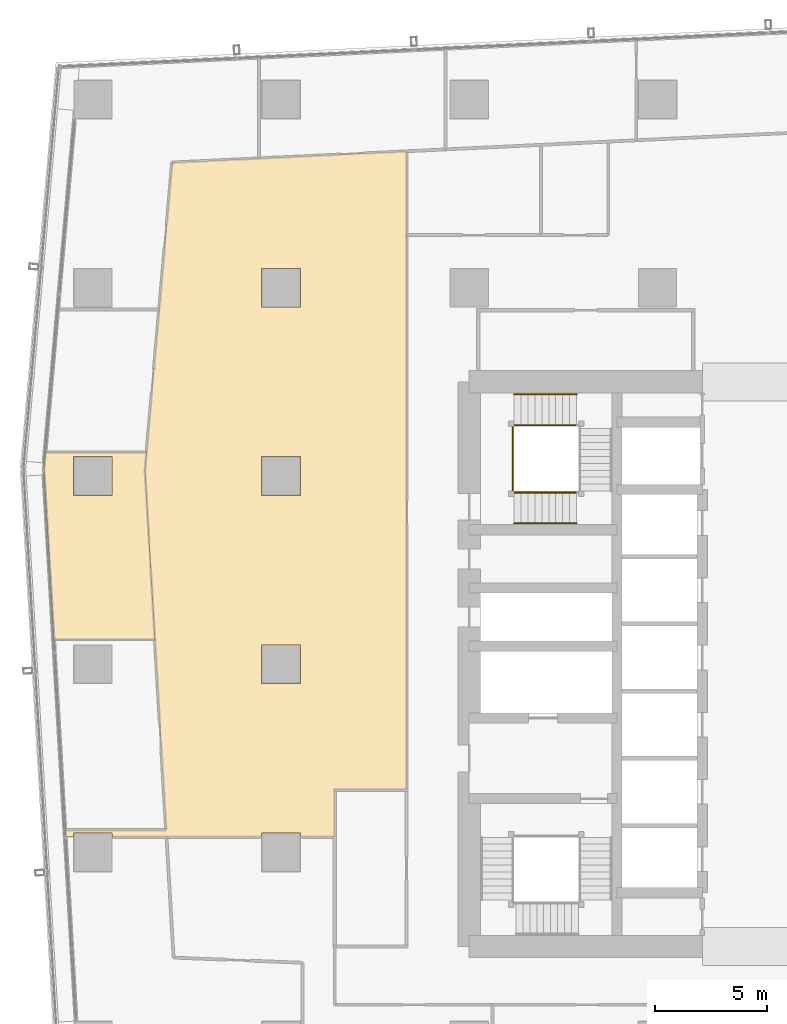
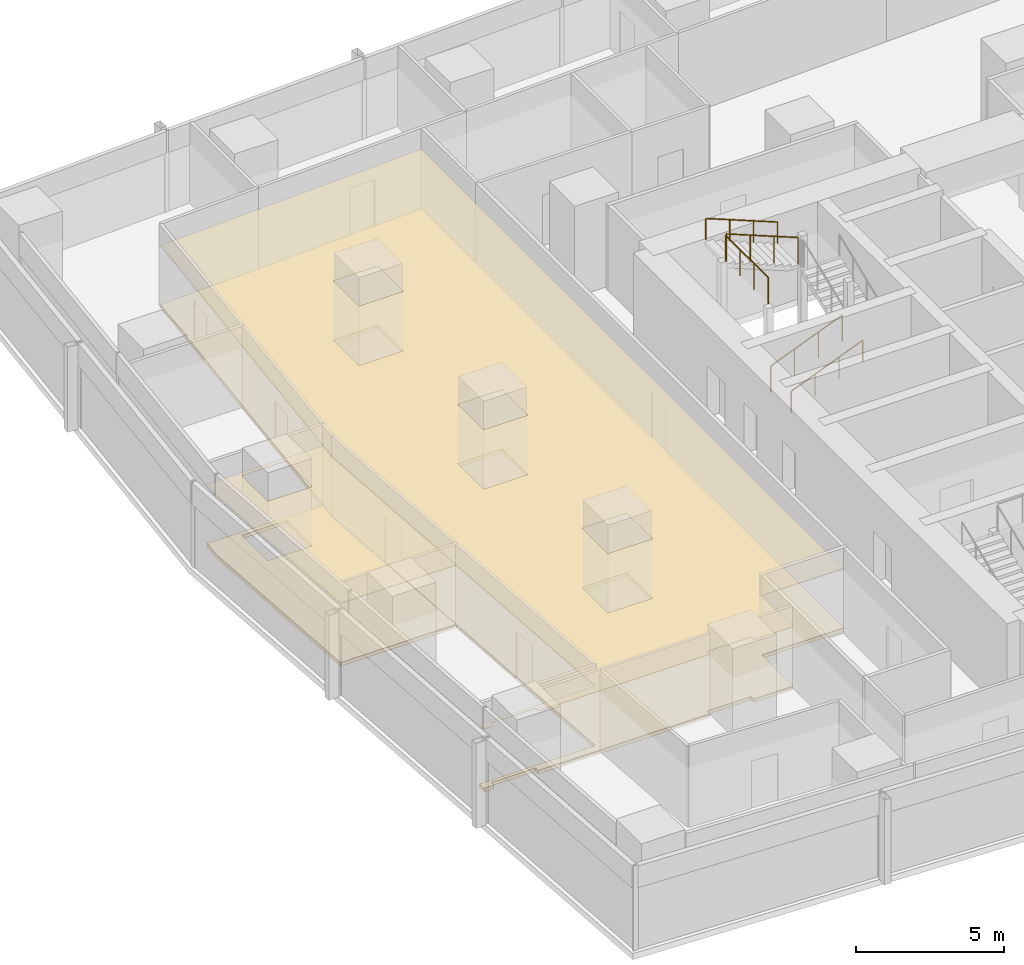
# One storey, part 34 of 39: 5 railings, 4 coverings.
"""IFC4 building model written with IfcOpenShell, lengths in metres."""

from ifc_helpers import new_model, si_unit, direction, frame, origin, origin_2d, place, context, subcontext, project, spatial, polyline, circle, outline, extrude, material, layer, layer_set, type_object, element, save


model = new_model("IFC4")

# Units and contexts
model_context = context("Model", 3, precision=1e-05, world=origin(), true_north=direction((0.0, 1.0)))
body_context = subcontext(model_context, "Body", "Model", "MODEL_VIEW")
ifc_project = project(units=[si_unit("LENGTHUNIT", "METRE"), si_unit("AREAUNIT", "SQUARE_METRE"), si_unit("VOLUMEUNIT", "CUBIC_METRE"), si_unit("PLANEANGLEUNIT", "RADIAN"), si_unit("MASSUNIT", "GRAM", prefix="KILO")], contexts=[model_context])

# Site, building, storey
site_placement = place(None, origin())
site = spatial("IfcSite", under=ifc_project, at=site_placement, CompositionType="ELEMENT")
building_placement = place(site_placement, origin())
building = spatial("IfcBuilding", under=site, at=building_placement, Name="Rekha Terrace Tower", CompositionType="ELEMENT")
storey_placement = place(building_placement, frame((0.0, 0.0, 183.949951171875)))
storey = spatial("IfcBuildingStorey", under=building, at=storey_placement, Name="L46", CompositionType="ELEMENT", Elevation=183.949951171875)

# Coverings
ifc_material_1 = material(Name="Mineral fibre tile in exposed grid", Category="finish")
ifc_layer_1 = layer(ifc_material_1, 0.02001953125)
ifc_layer_set_1 = layer_set([ifc_layer_1], Name="Mineral fibre tile in exposed grid")
covering_type_1 = type_object("IfcCoveringType", Name="CL1 600x1200 office grid ceiling", PredefinedType="CEILING", material=ifc_layer_set_1)
covering_1_placement = place(storey_placement, frame((0.0, 0.0, 2.580078125)))
element("IfcCovering", 1, at=covering_1_placement, inside=storey, type_object=covering_type_1, Name="Ceiling L46-20", PredefinedType="CEILING", context=body_context, shape_type="SweptSolid", body=[
    extrude(outline(polyline([(6.212890625, 42.31494140625), (6.660888671875, 34.7109375), (11.16796875, 34.7109375), (10.72509765625, 42.2490234375), (10.794921875, 43.0439453125), (6.277099609375, 43.0439453125), (6.212890625, 42.31494140625)]), holes=[polyline([(9.264892578125, 41.135009765625), (7.534912109375, 41.135009765625), (7.534912109375, 42.864990234375), (9.264892578125, 42.864990234375), (9.264892578125, 41.135009765625)])]), origin(), (0.0, 0.0, 1.0), 0.02001953125),
])
covering_2_placement = place(storey_placement, frame((0.0, 0.0, 2.580078125)))
element("IfcCovering", 2, at=covering_2_placement, inside=storey, type_object=covering_type_1, Name="Ceiling L46-O2", PredefinedType="CEILING", context=body_context, shape_type="SweptSolid", body=[
    extrude(outline(polyline([(11.35791015625, 49.427978515625), (10.794921875, 43.0439453125), (10.72509765625, 42.2490234375), (11.1689453125, 34.695068359375), (11.669921875, 26.198974609375), (7.162109375, 26.198974609375), (7.179931640625, 25.888916015625), (7.534912109375, 25.888916015625), (7.534912109375, 26.06494140625), (9.264892578125, 26.06494140625), (9.264892578125, 25.888916015625), (15.93505859375, 25.888916015625), (15.93505859375, 26.06494140625), (17.6650390625, 26.06494140625), (17.6650390625, 25.888916015625), (19.199951171875, 25.888916015625), (19.199951171875, 28.0), (22.39990234375, 28.0), (22.39990234375, 56.492919921875), (15.800048828125, 56.177001953125), (11.93798828125, 55.992919921875), (11.35888671875, 49.427978515625), (11.35791015625, 49.427978515625)]), holes=[polyline([(17.6650390625, 32.735107421875), (15.93505859375, 32.735107421875), (15.93505859375, 34.465087890625), (17.6650390625, 34.465087890625), (17.6650390625, 32.735107421875)]), polyline([(17.6650390625, 42.864990234375), (17.6650390625, 41.135009765625), (15.93505859375, 41.135009765625), (15.93505859375, 42.864990234375), (17.6650390625, 42.864990234375)]), polyline([(17.6650390625, 51.264892578125), (17.6650390625, 49.534912109375), (15.93505859375, 49.534912109375), (15.93505859375, 51.264892578125), (17.6650390625, 51.264892578125)])]), origin(), (0.0, 0.0, 1.0), 0.02001953125),
])

# Railings
ifc_material_2 = material(Name="Stainless steel balustrade", Category="steel")
railing_type_1 = type_object("IfcRailingType", Name="GR1 1100 stair guard", PredefinedType="GUARDRAIL", material=ifc_material_2)
railing_1_placement = place(storey_placement, frame((27.199951171875, 41.264892578125, 0.125)))
element("IfcRailing", 3, at=railing_1_placement, inside=storey, type_object=railing_type_1, Name="Guard ST4 L46 flight 1", PredefinedType="GUARDRAIL", context=body_context, shape_type="SweptSolid", body=[
    extrude(circle(Radius=0.02392578125, at=origin_2d()), frame((0.0, 0.0, 1.076171875), z_axis=(0.927443287984, 0.0, 0.373963831907), x_axis=(0.0, 1.0, 0.0)), (0.0, 0.0, 1.0), 3.00830078125),
    extrude(circle(Radius=0.02099609375, at=origin_2d()), origin(), (0.0, 0.0, 1.0), 1.052001953125),
    extrude(circle(Radius=0.02099609375, at=origin_2d()), frame((0.929931640625, 0.0, 0.375)), (0.0, 0.0, 1.0), 1.052001953125),
    extrude(circle(Radius=0.02099609375, at=origin_2d()), frame((1.860107421875, 0.0, 0.75)), (0.0, 0.0, 1.0), 1.052001953125),
    extrude(circle(Radius=0.02099609375, at=origin_2d()), frame((2.7900390625, 0.0, 1.125)), (0.0, 0.0, 1.0), 1.052001953125),
])
railing_2_placement = place(storey_placement, frame((29.989990234375, 44.260009765625, 2.625)))
element("IfcRailing", 4, at=railing_2_placement, inside=storey, type_object=railing_type_1, Name="Guard ST4 L46 flight 3", PredefinedType="GUARDRAIL", context=body_context, shape_type="SweptSolid", body=[
    extrude(circle(Radius=0.02392578125, at=origin_2d()), frame((0.0, 0.0, 1.076171875), z_axis=(-0.927443287984, 0.0, 0.373963831907), x_axis=(0.0, -1.0, 0.0)), (0.0, 0.0, 1.0), 3.00830078125),
    extrude(circle(Radius=0.02099609375, at=origin_2d()), origin(), (0.0, 0.0, 1.0), 1.052001953125),
    extrude(circle(Radius=0.02099609375, at=origin_2d()), frame((-0.929931640625, 0.0, 0.375)), (0.0, 0.0, 1.0), 1.052001953125),
    extrude(circle(Radius=0.02099609375, at=origin_2d()), frame((-1.860107421875, 0.0, 0.75)), (0.0, 0.0, 1.0), 1.052001953125),
    extrude(circle(Radius=0.02099609375, at=origin_2d()), frame((-2.7900390625, 0.0, 1.125)), (0.0, 0.0, 1.0), 1.052001953125),
])
railing_3_placement = place(storey_placement, frame((27.139892578125, 41.324951171875, 3.75)))
element("IfcRailing", 5, at=railing_3_placement, inside=storey, type_object=railing_type_1, Name="Guard ST4 L46 landing 4", PredefinedType="GUARDRAIL", context=body_context, shape_type="SweptSolid", body=[
    extrude(circle(Radius=0.02392578125, at=origin_2d()), frame((0.0, 0.0, 1.076171875), z_axis=(0.0, 1.0, 0.0), x_axis=(-1.0, 0.0, 0.0)), (0.0, 0.0, 1.0), 2.875),
    extrude(circle(Radius=0.02099609375, at=origin_2d()), origin(), (0.0, 0.0, 1.0), 1.052001953125),
    extrude(circle(Radius=0.02099609375, at=origin_2d()), frame((0.0, 0.958251953125, 0.0)), (0.0, 0.0, 1.0), 1.052001953125),
    extrude(circle(Radius=0.02099609375, at=origin_2d()), frame((0.0, 1.916748046875, 0.0)), (0.0, 0.0, 1.0), 1.052001953125),
    extrude(circle(Radius=0.02099609375, at=origin_2d()), frame((0.0, 2.875, 0.0)), (0.0, 0.0, 1.0), 1.052001953125),
])
ifc_material_3 = material(Name="Stainless steel tube", Category="steel")
railing_type_2 = type_object("IfcRailingType", Name="HR1 900 stair handrail", PredefinedType="HANDRAIL", material=ifc_material_3)
railing_4_placement = place(storey_placement, frame((27.199951171875, 39.885009765625, 0.125)))
element("IfcRailing", 6, at=railing_4_placement, inside=storey, type_object=railing_type_2, Name="Handrail ST4 L46 flight 1", PredefinedType="HANDRAIL", context=body_context, shape_type="SweptSolid", body=[
    extrude(circle(Radius=0.02392578125, at=origin_2d()), frame((0.0, 0.0, 0.8759765625), z_axis=(0.927443287984, 0.0, 0.373963831907), x_axis=(0.0, 1.0, 0.0)), (0.0, 0.0, 1.0), 3.00830078125),
    extrude(circle(Radius=0.02099609375, at=origin_2d()), origin(), (0.0, 0.0, 1.0), 0.851806640625),
    extrude(circle(Radius=0.02099609375, at=origin_2d()), frame((0.929931640625, 0.0, 0.375)), (0.0, 0.0, 1.0), 0.851806640625),
    extrude(circle(Radius=0.02099609375, at=origin_2d()), frame((1.860107421875, 0.0, 0.75)), (0.0, 0.0, 1.0), 0.851806640625),
    extrude(circle(Radius=0.02099609375, at=origin_2d()), frame((2.7900390625, 0.0, 1.125)), (0.0, 0.0, 1.0), 0.851806640625),
])
railing_5_placement = place(storey_placement, frame((29.989990234375, 45.639892578125, 2.625)))
element("IfcRailing", 7, at=railing_5_placement, inside=storey, type_object=railing_type_2, Name="Handrail ST4 L46 flight 3", PredefinedType="HANDRAIL", context=body_context, shape_type="SweptSolid", body=[
    extrude(circle(Radius=0.02392578125, at=origin_2d()), frame((0.0, 0.0, 0.8759765625), z_axis=(-0.927443287984, 0.0, 0.373963831907), x_axis=(0.0, -1.0, 0.0)), (0.0, 0.0, 1.0), 3.00830078125),
    extrude(circle(Radius=0.02099609375, at=origin_2d()), origin(), (0.0, 0.0, 1.0), 0.851806640625),
    extrude(circle(Radius=0.02099609375, at=origin_2d()), frame((-0.929931640625, 0.0, 0.375)), (0.0, 0.0, 1.0), 0.851806640625),
    extrude(circle(Radius=0.02099609375, at=origin_2d()), frame((-1.860107421875, 0.0, 0.75)), (0.0, 0.0, 1.0), 0.851806640625),
    extrude(circle(Radius=0.02099609375, at=origin_2d()), frame((-2.7900390625, 0.0, 1.125)), (0.0, 0.0, 1.0), 0.851806640625),
])

# Coverings
ifc_material_4 = material(Name="Calcium sulphate panels on steel pedestals", Category="steel")
ifc_layer_2 = layer(ifc_material_4, 0.14990234375)
ifc_layer_set_2 = layer_set([ifc_layer_2], Name="Calcium sulphate panels on steel pedestals")
covering_type_2 = type_object("IfcCoveringType", Name="RF1 150 raised access floor", PredefinedType="FLOORING", material=ifc_layer_set_2)
covering_3_placement = place(storey_placement, origin())
element("IfcCovering", 8, at=covering_3_placement, inside=storey, type_object=covering_type_2, Name="Raised floor L46-20", PredefinedType="FLOORING", context=body_context, shape_type="SweptSolid", body=[
    extrude(outline(polyline([(6.212890625, 42.31494140625), (6.660888671875, 34.7109375), (11.16796875, 34.7109375), (10.72509765625, 42.2490234375), (10.794921875, 43.0439453125), (6.277099609375, 43.0439453125), (6.212890625, 42.31494140625)]), holes=[polyline([(9.264892578125, 41.135009765625), (7.534912109375, 41.135009765625), (7.534912109375, 42.864990234375), (9.264892578125, 42.864990234375), (9.264892578125, 41.135009765625)])]), origin(), (0.0, 0.0, 1.0), 0.150146484375),
])
covering_4_placement = place(storey_placement, origin())
element("IfcCovering", 9, at=covering_4_placement, inside=storey, type_object=covering_type_2, Name="Raised floor L46-O2", PredefinedType="FLOORING", context=body_context, shape_type="SweptSolid", body=[
    extrude(outline(polyline([(11.35791015625, 49.427978515625), (10.794921875, 43.0439453125), (10.72509765625, 42.2490234375), (11.1689453125, 34.695068359375), (11.669921875, 26.198974609375), (7.162109375, 26.198974609375), (7.179931640625, 25.888916015625), (7.534912109375, 25.888916015625), (7.534912109375, 26.06494140625), (9.264892578125, 26.06494140625), (9.264892578125, 25.888916015625), (15.93505859375, 25.888916015625), (15.93505859375, 26.06494140625), (17.6650390625, 26.06494140625), (17.6650390625, 25.888916015625), (19.199951171875, 25.888916015625), (19.199951171875, 28.0), (22.39990234375, 28.0), (22.39990234375, 56.492919921875), (15.800048828125, 56.177001953125), (11.93798828125, 55.992919921875), (11.35888671875, 49.427978515625), (11.35791015625, 49.427978515625)]), holes=[polyline([(17.6650390625, 32.735107421875), (15.93505859375, 32.735107421875), (15.93505859375, 34.465087890625), (17.6650390625, 34.465087890625), (17.6650390625, 32.735107421875)]), polyline([(17.6650390625, 42.864990234375), (17.6650390625, 41.135009765625), (15.93505859375, 41.135009765625), (15.93505859375, 42.864990234375), (17.6650390625, 42.864990234375)]), polyline([(17.6650390625, 51.264892578125), (17.6650390625, 49.534912109375), (15.93505859375, 49.534912109375), (15.93505859375, 51.264892578125), (17.6650390625, 51.264892578125)])]), origin(), (0.0, 0.0, 1.0), 0.150146484375),
])

save(model, "model.ifc")
